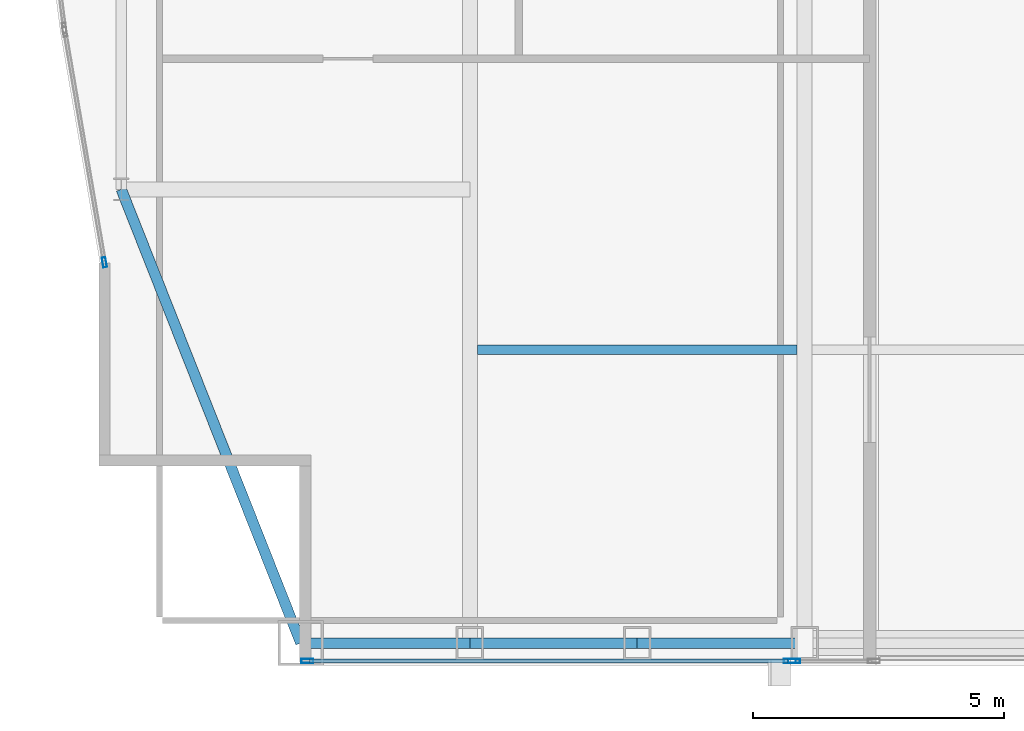
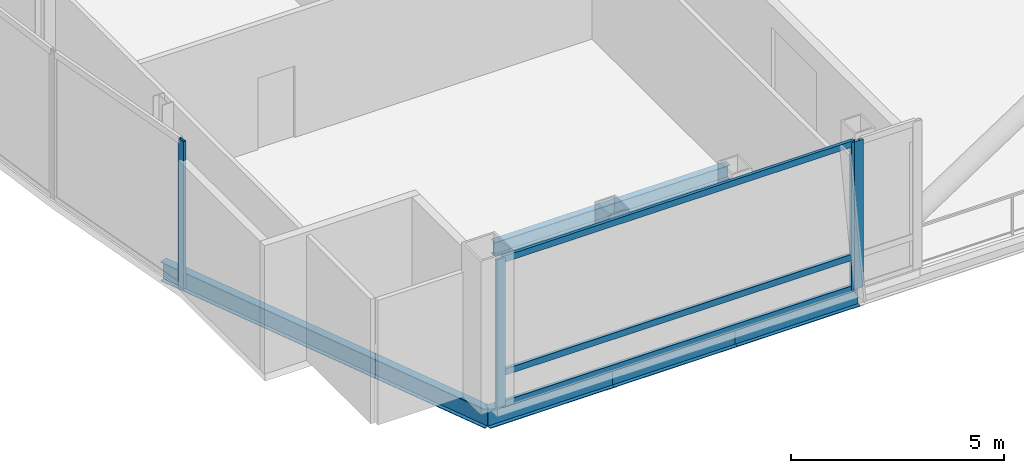
# One storey, part 4 of 27: 7 members, 5 beams, 3 elements without a shape of their own.
"""IFC4 building model written with IfcOpenShell, lengths in metres."""

from ifc_helpers import new_model, si_unit, direction, frame, origin, origin_2d, place, context, subcontext, project, spatial, hollow_rectangle, i_section, extrude, material, material_profile, profile_set, type_object, element, aggregate, save


model = new_model("IFC4")

# Units and contexts
model_context = context("Model", 3, precision=1e-05, world=origin(), true_north=direction((0.0, 1.0)))
body_context = subcontext(model_context, "Body", "Model", "MODEL_VIEW")
ifc_project = project(units=[si_unit("LENGTHUNIT", "METRE"), si_unit("AREAUNIT", "SQUARE_METRE"), si_unit("VOLUMEUNIT", "CUBIC_METRE"), si_unit("PLANEANGLEUNIT", "RADIAN"), si_unit("MASSUNIT", "GRAM", prefix="KILO")], contexts=[model_context])

# Site, building, storey
site_placement = place(None, origin())
site = spatial("IfcSite", under=ifc_project, at=site_placement, CompositionType="ELEMENT")
building_placement = place(site_placement, origin())
building = spatial("IfcBuilding", under=site, at=building_placement, Name="Khoronbel Lancet Exchange", CompositionType="ELEMENT")
storey_placement = place(building_placement, frame((0.0, 0.0, 305.800048828125)))
storey = spatial("IfcBuildingStorey", under=building, at=storey_placement, Name="L79", CompositionType="ELEMENT", Elevation=305.800048828125)

# Beams
ifc_material_1 = material(Name="Steel S355", Category="steel")
ifc_material_profile_1 = material_profile(ifc_material_1, i_section(OverallWidth=0.179931640625, OverallDepth=0.39990234375, WebThickness=0.008544921875, FlangeThickness=0.013427734375, at=origin_2d()), Name="IPE 400")
ifc_profile_set_1 = profile_set([ifc_material_profile_1], Name="Steel S355")
beam_type_1 = type_object("IfcBeamType", Name="BM-BJ5", PredefinedType="JOIST", material=ifc_profile_set_1)
beam_1_placement = place(storey_placement, frame((18.375, 16.0, -0.420166015625), z_axis=(1.0, 0.0, 0.0), x_axis=(0.0, 1.0, 0.0)))
element("IfcBeam", 1, at=beam_1_placement, inside=storey, type_object=beam_type_1, Name="Level L79 secondary composite joist J01", PredefinedType="JOIST", context=body_context, shape_type="SweptSolid", body=[
    extrude(i_section(OverallWidth=0.179931640625, OverallDepth=0.39990234375, WebThickness=0.008544921875, FlangeThickness=0.013427734375, at=origin_2d()), origin(), (0.0, 0.0, 1.0), 6.375),
])
ifc_material_profile_2 = material_profile(ifc_material_1, i_section(OverallWidth=0.2099609375, OverallDepth=0.550048828125, WebThickness=0.010986328125, FlangeThickness=0.01708984375, at=origin_2d()), Name="IPE 550")
ifc_profile_set_2 = profile_set([ifc_material_profile_2], Name="Steel S355")
beam_type_2 = type_object("IfcBeamType", Name="BM-BSP3", PredefinedType="SPANDREL", material=ifc_profile_set_2)
beam_2_placement = place(storey_placement, frame((14.85009765625, 10.14990234375, -0.4951171875), z_axis=(1.0, 0.0, 0.0), x_axis=(0.0, 1.0, 0.0)))
element("IfcBeam", 2, at=beam_2_placement, inside=storey, type_object=beam_type_2, Name="Level L79 perimeter spandrel beam SP01", PredefinedType="SPANDREL", context=body_context, shape_type="SweptSolid", body=[
    extrude(i_section(OverallWidth=0.2099609375, OverallDepth=0.550048828125, WebThickness=0.010986328125, FlangeThickness=0.01708984375, at=origin_2d()), origin(), (0.0, 0.0, 1.0), 3.375),
])
for number, where, z_axis, x_axis, name in (
    (3, (18.22509765625, 10.14990234375, -0.4951171875), (1.0, 0.0, 0.0), (0.0, 1.0, 0.0), "Level L79 perimeter spandrel beam SP02"),
    (4, (21.5625, 10.14990234375, -0.4951171875), (1.0, 0.0, 0.0), (0.0, 1.0, 0.0), "Level L79 perimeter spandrel beam SP03"),
):
    element("IfcBeam", number, at=place(storey_placement, frame(where, z_axis=z_axis, x_axis=x_axis)), inside=storey, type_object=beam_type_2, Name=name, PredefinedType="SPANDREL", context=body_context, shape_type="SweptSolid", body=[
        extrude(i_section(OverallWidth=0.2099609375, OverallDepth=0.550048828125, WebThickness=0.010986328125, FlangeThickness=0.01708984375, at=origin_2d()), origin(), (0.0, 0.0, 1.0), 3.33740234375),
    ])
beam_3_placement = place(storey_placement, frame((11.27001953125, 19.199951171875, -0.4951171875), z_axis=(0.367850095026, -0.92988510451, 0.0), x_axis=(0.92988510451, 0.367850095026, 0.0)))
element("IfcBeam", 5, at=beam_3_placement, inside=storey, type_object=beam_type_2, Name="Level L79 perimeter spandrel beam SP19", PredefinedType="SPANDREL", context=body_context, shape_type="SweptSolid", body=[
    extrude(i_section(OverallWidth=0.2099609375, OverallDepth=0.550048828125, WebThickness=0.010986328125, FlangeThickness=0.01708984375, at=origin_2d()), origin(), (0.0, 0.0, 1.0), 9.732421875),
])

# Curtain wall, members
ifc_material_2 = material(Name="Low-E Solar Control Insulating Glass", Category="glass")
curtain_wall_type_1 = type_object("IfcCurtainWallType", Name="CW-3", PredefinedType="NOTDEFINED", material=ifc_material_2)
curtain_wall_1_placement = place(storey_placement, origin())
curtain_wall_1 = element("IfcCurtainWall", 6, at=curtain_wall_1_placement, inside=storey, type_object=curtain_wall_type_1, Name="Unitised curtain wall CW-L79-SW-WING", PredefinedType="NOTDEFINED")
ifc_material_3 = material(Name="Bronze-Anodised Aluminium 6063-T6", Category="aluminium")
ifc_material_profile_3 = material_profile(ifc_material_3, hollow_rectangle(XDim=0.0849609375, YDim=0.239990234375, WallThickness=0.006103515625, at=origin_2d()), Name="ALU MULLION 85x240")
ifc_profile_set_3 = profile_set([ifc_material_profile_3], Name="Bronze-Anodised Aluminium 6063-T6")
member_type_1 = type_object("IfcMemberType", Name="MEM-CWM1", PredefinedType="MULLION", material=ifc_profile_set_3)
member_1_placement = place(storey_placement, frame((14.982421875, 9.7900390625, 0.0), z_axis=(0.0, 0.0, 1.0), x_axis=(0.0, 1.0, 0.0)))
member_1 = element("IfcMember", 7, at=member_1_placement, type_object=member_type_1, Name="CW3 mullion 1", PredefinedType="MULLION", context=body_context, shape_type="SweptSolid", body=[
    extrude(hollow_rectangle(XDim=0.0849609375, YDim=0.239990234375, WallThickness=0.006103515625, at=origin_2d()), origin(), (0.0, 0.0, 1.0), 4.239990234375),
])
member_2_placement = place(storey_placement, frame((24.607421875, 9.7900390625, 0.0), z_axis=(0.0, 0.0, 1.0), x_axis=(0.0, 1.0, 0.0)))
member_2 = element("IfcMember", 8, at=member_2_placement, type_object=member_type_1, Name="CW3 mullion 2", PredefinedType="MULLION", context=body_context, shape_type="SweptSolid", body=[
    extrude(hollow_rectangle(XDim=0.0849609375, YDim=0.239990234375, WallThickness=0.006103515625, at=origin_2d()), origin(), (0.0, 0.0, 1.0), 4.239990234375),
])

# Curtain wall, member
curtain_wall_2_placement = place(storey_placement, origin())
curtain_wall_2 = element("IfcCurtainWall", 9, at=curtain_wall_2_placement, inside=storey, type_object=curtain_wall_type_1, Name="Unitised curtain wall CW-L79-SW-PIER", PredefinedType="NOTDEFINED")
member_3_placement = place(storey_placement, frame((24.6923828125, 9.7900390625, 0.0), z_axis=(0.0, 0.0, 1.0), x_axis=(0.0, 1.0, 0.0)))
member_3 = element("IfcMember", 10, at=member_3_placement, type_object=member_type_1, Name="CW3 mullion 1", PredefinedType="MULLION", context=body_context, shape_type="SweptSolid", body=[
    extrude(hollow_rectangle(XDim=0.0849609375, YDim=0.239990234375, WallThickness=0.006103515625, at=origin_2d()), origin(), (0.0, 0.0, 1.0), 4.239990234375),
])
aggregate(curtain_wall_2, [member_3])

curtain_wall_type_2 = type_object("IfcCurtainWallType", Name="CW-4", PredefinedType="NOTDEFINED", material=ifc_material_2)
curtain_wall_3_placement = place(storey_placement, origin())
curtain_wall_3 = element("IfcCurtainWall", 11, at=curtain_wall_3_placement, inside=storey, type_object=curtain_wall_type_2, Name="Unitised curtain wall CW-L79-E04", PredefinedType="NOTDEFINED")
ifc_material_profile_4 = material_profile(ifc_material_3, hollow_rectangle(XDim=0.074951171875, YDim=0.199951171875, WallThickness=0.0048828125, at=origin_2d()), Name="ALU MULLION 75x200")
ifc_profile_set_4 = profile_set([ifc_material_profile_4], Name="Bronze-Anodised Aluminium 6063-T6")
member_type_2 = type_object("IfcMemberType", Name="MEM-CWM2", PredefinedType="MULLION", material=ifc_profile_set_4)
member_4_placement = place(storey_placement, frame((10.93359375, 17.74462890625, 0.0), z_axis=(0.0, 0.0, 1.0), x_axis=(-0.985620448013, -0.168974354443, 0.0)))
member_4 = element("IfcMember", 12, at=member_4_placement, type_object=member_type_2, Name="CW4 mullion 1", PredefinedType="MULLION", context=body_context, shape_type="SweptSolid", body=[
    extrude(hollow_rectangle(XDim=0.074951171875, YDim=0.199951171875, WallThickness=0.0048828125, at=origin_2d()), origin(), (0.0, 0.0, 1.0), 4.239990234375),
])
aggregate(curtain_wall_3, [member_4])

# Member
ifc_material_profile_5 = material_profile(ifc_material_3, hollow_rectangle(XDim=0.0849609375, YDim=0.179931640625, WallThickness=0.0048828125, at=origin_2d()), Name="ALU TRANSOM 85x180")
ifc_profile_set_5 = profile_set([ifc_material_profile_5], Name="Bronze-Anodised Aluminium 6063-T6")
member_type_3 = type_object("IfcMemberType", Name="MEM-CWT1", PredefinedType="USERDEFINED", material=ifc_profile_set_5)
member_5_placement = place(storey_placement, frame((15.02490234375, 9.7900390625, 0.04248046875), z_axis=(1.0, 0.0, 0.0), x_axis=(0.0, 1.0, 0.0)))
member_5 = element("IfcMember", 13, at=member_5_placement, type_object=member_type_3, Name="CW3 transom 1.1", ObjectType="TRANSOM", PredefinedType="USERDEFINED", context=body_context, shape_type="SweptSolid", body=[
    extrude(hollow_rectangle(XDim=0.0849609375, YDim=0.179931640625, WallThickness=0.0048828125, at=origin_2d()), origin(), (0.0, 0.0, 1.0), 9.5400390625),
])

member_6_placement = place(storey_placement, frame((15.02490234375, 9.7900390625, 0.949951171875), z_axis=(1.0, 0.0, 0.0), x_axis=(0.0, 1.0, 0.0)))
member_6 = element("IfcMember", 14, at=member_6_placement, type_object=member_type_3, Name="CW3 transom 1.2", ObjectType="TRANSOM", PredefinedType="USERDEFINED", context=body_context, shape_type="SweptSolid", body=[
    extrude(hollow_rectangle(XDim=0.0849609375, YDim=0.179931640625, WallThickness=0.0048828125, at=origin_2d()), origin(), (0.0, 0.0, 1.0), 9.5400390625),
])

member_7_placement = place(storey_placement, frame((15.02490234375, 9.7900390625, 4.197509765625), z_axis=(1.0, 0.0, 0.0), x_axis=(0.0, 1.0, 0.0)))
member_7 = element("IfcMember", 15, at=member_7_placement, type_object=member_type_3, Name="CW3 transom 1.3", ObjectType="TRANSOM", PredefinedType="USERDEFINED", context=body_context, shape_type="SweptSolid", body=[
    extrude(hollow_rectangle(XDim=0.0849609375, YDim=0.179931640625, WallThickness=0.0048828125, at=origin_2d()), origin(), (0.0, 0.0, 1.0), 9.5400390625),
])

aggregate(curtain_wall_1, [member_1, member_2, member_5, member_6, member_7])

save(model, "model.ifc")
